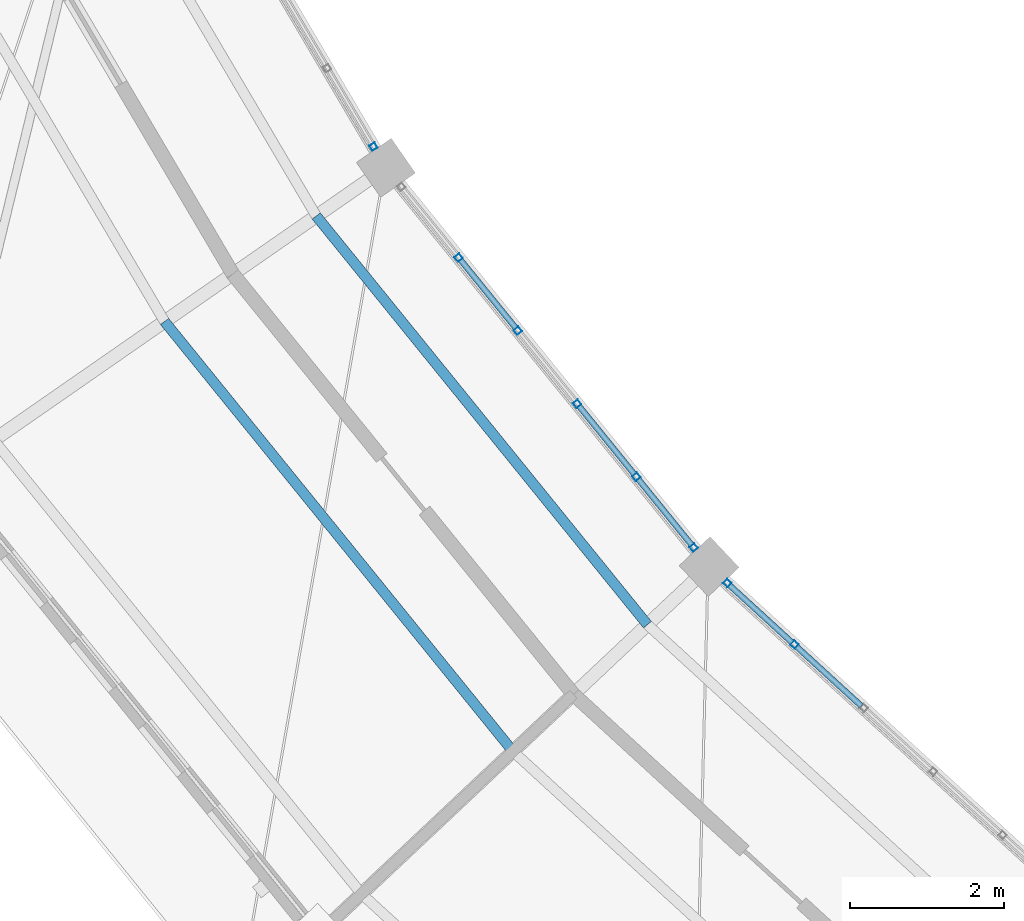
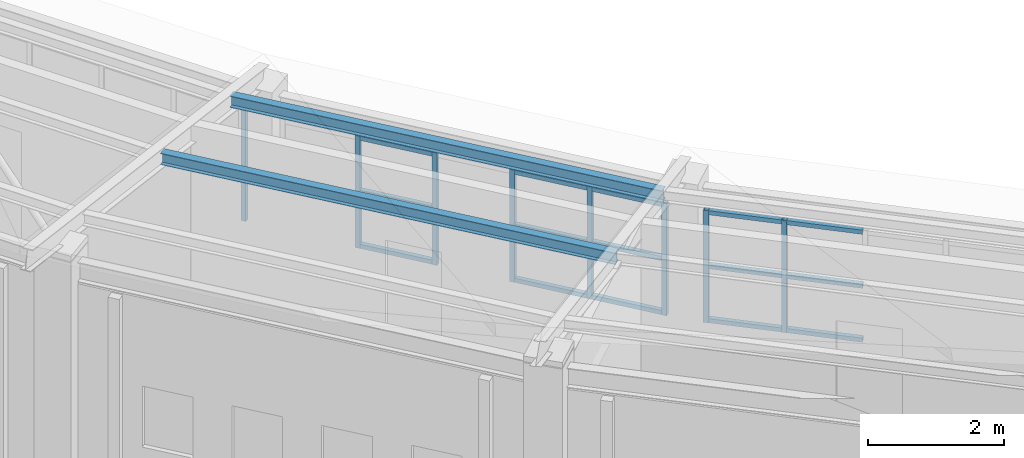
# One storey, part 18 of 149: 25 members, 3 elements without a shape of their own.
"""IFC4 building model written with IfcOpenShell, lengths in metres."""

from ifc_helpers import new_model, si_unit, direction, frame, origin, origin_2d, place, context, subcontext, project, spatial, hollow_rectangle, i_section, extrude, material, material_profile, profile_set, type_object, element, aggregate, save


model = new_model("IFC4")

# Units and contexts
model_context = context("Model", 3, precision=1e-05, world=origin(), true_north=direction((0.0, 1.0)))
body_context = subcontext(model_context, "Body", "Model", "MODEL_VIEW")
ifc_project = project(units=[si_unit("LENGTHUNIT", "METRE"), si_unit("AREAUNIT", "SQUARE_METRE"), si_unit("VOLUMEUNIT", "CUBIC_METRE"), si_unit("PLANEANGLEUNIT", "RADIAN"), si_unit("MASSUNIT", "GRAM", prefix="KILO")], contexts=[model_context])

# Site, building, storey
site_placement = place(None, origin())
site = spatial("IfcSite", under=ifc_project, at=site_placement, CompositionType="ELEMENT")
building_placement = place(site_placement, origin())
building = spatial("IfcBuilding", under=site, at=building_placement, Name="Celadon Cloister-Ring School", CompositionType="ELEMENT")
storey_placement = place(building_placement, frame((0.0, 0.0, 12.5)))
storey = spatial("IfcBuildingStorey", under=building, at=storey_placement, Name="L03", CompositionType="ELEMENT", Elevation=12.5)

# Curtain wall, member
ifc_material_1 = material(Name="Aluminium EN AW-6063 T6", Category="aluminium")
curtain_wall_type = type_object("IfcCurtainWallType", Name="CW-02", PredefinedType="USERDEFINED", material=ifc_material_1)
curtain_wall_1_placement = place(storey_placement, origin())
curtain_wall_1 = element("IfcCurtainWall", 1, at=curtain_wall_1_placement, inside=storey, type_object=curtain_wall_type, Name="Curtain Wall 0054", ObjectType="CURTAIN WALL", PredefinedType="USERDEFINED")
ifc_material_2 = material(Name="Aluminium EN AW-6063 T6", Category="aluminium")
ifc_material_profile_1 = material_profile(ifc_material_2, hollow_rectangle(XDim=0.080078125, YDim=0.080078125, WallThickness=0.00390625, at=origin_2d()), Name="RHS80X80X4")
ifc_profile_set_1 = profile_set([ifc_material_profile_1], Name="Aluminium EN AW-6063 T6")
member_type_1 = type_object("IfcMemberType", Name="CM-03", PredefinedType="MULLION", material=ifc_profile_set_1)
member_1_placement = place(storey_placement, frame((49.875732421875, 33.607421875, 0.0), z_axis=(0.0, 0.0, 1.0), x_axis=(0.861424661152, 0.507885374036, 0.0)))
member_1 = element("IfcMember", 2, at=member_1_placement, type_object=member_type_1, Name="CW-02 mullion 6", PredefinedType="MULLION", context=body_context, shape_type="SweptSolid", body=[
    extrude(hollow_rectangle(XDim=0.080078125, YDim=0.080078125, WallThickness=0.00390625, at=origin_2d()), origin(), (0.0, 0.0, 1.0), 2.02001953125),
])
aggregate(curtain_wall_1, [member_1])

# Curtain wall, members
curtain_wall_2_placement = place(storey_placement, origin())
curtain_wall_2 = element("IfcCurtainWall", 3, at=curtain_wall_2_placement, inside=storey, type_object=curtain_wall_type, Name="Curtain Wall 0055", ObjectType="CURTAIN WALL", PredefinedType="USERDEFINED")
member_2_placement = place(storey_placement, frame((50.982421875, 32.1669921875, 0.0), z_axis=(0.0, 0.0, 1.0), x_axis=(0.776779557155, 0.62977259355, 0.0)))
member_2 = element("IfcMember", 4, at=member_2_placement, type_object=member_type_1, Name="CW-02 mullion 2", PredefinedType="MULLION", context=body_context, shape_type="SweptSolid", body=[
    extrude(hollow_rectangle(XDim=0.080078125, YDim=0.080078125, WallThickness=0.00390625, at=origin_2d()), origin(), (0.0, 0.0, 1.0), 2.02001953125),
])
member_3_placement = place(storey_placement, frame((51.751708984375, 31.218017578125, 0.0), z_axis=(0.0, 0.0, 1.0), x_axis=(0.776779557155, 0.62977259355, 0.0)))
member_3 = element("IfcMember", 5, at=member_3_placement, type_object=member_type_1, Name="CW-02 mullion 3", PredefinedType="MULLION", context=body_context, shape_type="SweptSolid", body=[
    extrude(hollow_rectangle(XDim=0.080078125, YDim=0.080078125, WallThickness=0.00390625, at=origin_2d()), origin(), (0.0, 0.0, 1.0), 2.02001953125),
])
member_4_placement = place(storey_placement, frame((52.521240234375, 30.26904296875, 0.0), z_axis=(0.0, 0.0, 1.0), x_axis=(0.776779557155, 0.62977259355, 0.0)))
member_4 = element("IfcMember", 6, at=member_4_placement, type_object=member_type_1, Name="CW-02 mullion 4", PredefinedType="MULLION", context=body_context, shape_type="SweptSolid", body=[
    extrude(hollow_rectangle(XDim=0.080078125, YDim=0.080078125, WallThickness=0.00390625, at=origin_2d()), origin(), (0.0, 0.0, 1.0), 2.02001953125),
])
member_5_placement = place(storey_placement, frame((53.29052734375, 29.320068359375, 0.0), z_axis=(0.0, 0.0, 1.0), x_axis=(0.776779557155, 0.62977259355, 0.0)))
member_5 = element("IfcMember", 7, at=member_5_placement, type_object=member_type_1, Name="CW-02 mullion 5", PredefinedType="MULLION", context=body_context, shape_type="SweptSolid", body=[
    extrude(hollow_rectangle(XDim=0.080078125, YDim=0.080078125, WallThickness=0.00390625, at=origin_2d()), origin(), (0.0, 0.0, 1.0), 2.02001953125),
])
member_6_placement = place(storey_placement, frame((54.034912109375, 28.402099609375, 0.0), z_axis=(0.0, 0.0, 1.0), x_axis=(0.776779557155, 0.62977259355, 0.0)))
member_6 = element("IfcMember", 8, at=member_6_placement, type_object=member_type_1, Name="CW-02 mullion 6", PredefinedType="MULLION", context=body_context, shape_type="SweptSolid", body=[
    extrude(hollow_rectangle(XDim=0.080078125, YDim=0.080078125, WallThickness=0.00390625, at=origin_2d()), origin(), (0.0, 0.0, 1.0), 2.02001953125),
])

curtain_wall_3_placement = place(storey_placement, origin())
curtain_wall_3 = element("IfcCurtainWall", 9, at=curtain_wall_3_placement, inside=storey, type_object=curtain_wall_type, Name="Curtain Wall 0056", ObjectType="CURTAIN WALL", PredefinedType="USERDEFINED")
member_7_placement = place(storey_placement, frame((54.470458984375, 27.93896484375, 0.0), z_axis=(0.0, 0.0, 1.0), x_axis=(0.675405823267, 0.737446251531, 0.0)))
member_7 = element("IfcMember", 10, at=member_7_placement, type_object=member_type_1, Name="CW-02 mullion 1", PredefinedType="MULLION", context=body_context, shape_type="SweptSolid", body=[
    extrude(hollow_rectangle(XDim=0.080078125, YDim=0.080078125, WallThickness=0.00390625, at=origin_2d()), origin(), (0.0, 0.0, 1.0), 2.02001953125),
])
member_8_placement = place(storey_placement, frame((55.342041015625, 27.140869140625, 0.0), z_axis=(0.0, 0.0, 1.0), x_axis=(0.675405823267, 0.737446251531, 0.0)))
member_8 = element("IfcMember", 11, at=member_8_placement, type_object=member_type_1, Name="CW-02 mullion 2", PredefinedType="MULLION", context=body_context, shape_type="SweptSolid", body=[
    extrude(hollow_rectangle(XDim=0.080078125, YDim=0.080078125, WallThickness=0.00390625, at=origin_2d()), origin(), (0.0, 0.0, 1.0), 2.02001953125),
])

# Member
ifc_material_3 = material(Name="Aluminium EN AW-6063 T6", Category="aluminium")
ifc_material_profile_2 = material_profile(ifc_material_3, hollow_rectangle(XDim=0.074951171875, YDim=0.074951171875, WallThickness=0.00390625, at=origin_2d()), Name="RHS75X75X4")
ifc_profile_set_2 = profile_set([ifc_material_profile_2], Name="Aluminium EN AW-6063 T6")
member_type_2 = type_object("IfcMemberType", Name="CTM-03", PredefinedType="USERDEFINED", material=ifc_profile_set_2)
member_9_placement = place(storey_placement, frame((51.007568359375, 32.135986328125, 0.03759765625), z_axis=(0.6297147847, -0.776826422008, 0.0), x_axis=(0.776826422008, 0.6297147847, 0.0)))
member_9 = element("IfcMember", 12, at=member_9_placement, type_object=member_type_2, Name="CW-02 transom 2.1", ObjectType="TRANSOM", PredefinedType="USERDEFINED", context=body_context, shape_type="SweptSolid", body=[
    extrude(hollow_rectangle(XDim=0.074951171875, YDim=0.074951171875, WallThickness=0.00390625, at=origin_2d()), origin(), (0.0, 0.0, 1.0), 1.141845703125),
])

member_10_placement = place(storey_placement, frame((51.007568359375, 32.135986328125, 1.010009765625), z_axis=(0.6297147847, -0.776826422008, 0.0), x_axis=(0.776826422008, 0.6297147847, 0.0)))
member_10 = element("IfcMember", 13, at=member_10_placement, type_object=member_type_2, Name="CW-02 transom 2.2", ObjectType="TRANSOM", PredefinedType="USERDEFINED", context=body_context, shape_type="SweptSolid", body=[
    extrude(hollow_rectangle(XDim=0.074951171875, YDim=0.074951171875, WallThickness=0.00390625, at=origin_2d()), origin(), (0.0, 0.0, 1.0), 1.141845703125),
])

member_11_placement = place(storey_placement, frame((51.007568359375, 32.135986328125, 1.982421875), z_axis=(0.6297147847, -0.776826422008, 0.0), x_axis=(0.776826422008, 0.6297147847, 0.0)))
member_11 = element("IfcMember", 14, at=member_11_placement, type_object=member_type_2, Name="CW-02 transom 2.3", ObjectType="TRANSOM", PredefinedType="USERDEFINED", context=body_context, shape_type="SweptSolid", body=[
    extrude(hollow_rectangle(XDim=0.074951171875, YDim=0.074951171875, WallThickness=0.00390625, at=origin_2d()), origin(), (0.0, 0.0, 1.0), 1.141845703125),
])

member_12_placement = place(storey_placement, frame((52.54638671875, 30.238037109375, 0.03759765625), z_axis=(0.6297147847, -0.776826422008, 0.0), x_axis=(0.776826422008, 0.6297147847, 0.0)))
member_12 = element("IfcMember", 15, at=member_12_placement, type_object=member_type_2, Name="CW-02 transom 4.1", ObjectType="TRANSOM", PredefinedType="USERDEFINED", context=body_context, shape_type="SweptSolid", body=[
    extrude(hollow_rectangle(XDim=0.074951171875, YDim=0.074951171875, WallThickness=0.00390625, at=origin_2d()), origin(), (0.0, 0.0, 1.0), 1.141845703125),
])

member_13_placement = place(storey_placement, frame((52.54638671875, 30.238037109375, 1.010009765625), z_axis=(0.6297147847, -0.776826422008, 0.0), x_axis=(0.776826422008, 0.6297147847, 0.0)))
member_13 = element("IfcMember", 16, at=member_13_placement, type_object=member_type_2, Name="CW-02 transom 4.2", ObjectType="TRANSOM", PredefinedType="USERDEFINED", context=body_context, shape_type="SweptSolid", body=[
    extrude(hollow_rectangle(XDim=0.074951171875, YDim=0.074951171875, WallThickness=0.00390625, at=origin_2d()), origin(), (0.0, 0.0, 1.0), 1.141845703125),
])

member_14_placement = place(storey_placement, frame((52.54638671875, 30.238037109375, 1.982421875), z_axis=(0.6297147847, -0.776826422008, 0.0), x_axis=(0.776826422008, 0.6297147847, 0.0)))
member_14 = element("IfcMember", 17, at=member_14_placement, type_object=member_type_2, Name="CW-02 transom 4.3", ObjectType="TRANSOM", PredefinedType="USERDEFINED", context=body_context, shape_type="SweptSolid", body=[
    extrude(hollow_rectangle(XDim=0.074951171875, YDim=0.074951171875, WallThickness=0.00390625, at=origin_2d()), origin(), (0.0, 0.0, 1.0), 1.141845703125),
])

member_15_placement = place(storey_placement, frame((53.315673828125, 29.288818359375, 0.03759765625), z_axis=(0.62981641328, -0.776744028341, 0.0), x_axis=(0.776744028341, 0.62981641328, 0.0)))
member_15 = element("IfcMember", 18, at=member_15_placement, type_object=member_type_2, Name="CW-02 transom 5.1", ObjectType="TRANSOM", PredefinedType="USERDEFINED", context=body_context, shape_type="SweptSolid", body=[
    extrude(hollow_rectangle(XDim=0.074951171875, YDim=0.074951171875, WallThickness=0.00390625, at=origin_2d()), origin(), (0.0, 0.0, 1.0), 1.1015625),
])

member_16_placement = place(storey_placement, frame((53.315673828125, 29.288818359375, 1.010009765625), z_axis=(0.62981641328, -0.776744028341, 0.0), x_axis=(0.776744028341, 0.62981641328, 0.0)))
member_16 = element("IfcMember", 19, at=member_16_placement, type_object=member_type_2, Name="CW-02 transom 5.2", ObjectType="TRANSOM", PredefinedType="USERDEFINED", context=body_context, shape_type="SweptSolid", body=[
    extrude(hollow_rectangle(XDim=0.074951171875, YDim=0.074951171875, WallThickness=0.00390625, at=origin_2d()), origin(), (0.0, 0.0, 1.0), 1.1015625),
])

member_17_placement = place(storey_placement, frame((53.315673828125, 29.288818359375, 1.982421875), z_axis=(0.62981641328, -0.776744028341, 0.0), x_axis=(0.776744028341, 0.62981641328, 0.0)))
member_17 = element("IfcMember", 20, at=member_17_placement, type_object=member_type_2, Name="CW-02 transom 5.3", ObjectType="TRANSOM", PredefinedType="USERDEFINED", context=body_context, shape_type="SweptSolid", body=[
    extrude(hollow_rectangle(XDim=0.074951171875, YDim=0.074951171875, WallThickness=0.00390625, at=origin_2d()), origin(), (0.0, 0.0, 1.0), 1.1015625),
])

aggregate(curtain_wall_2, [member_2, member_3, member_4, member_5, member_6, member_9, member_10, member_11, member_12, member_13, member_14, member_15, member_16, member_17])

member_18_placement = place(storey_placement, frame((54.5, 27.911865234375, 0.03759765625), z_axis=(0.737448407441, -0.675403469315, 0.0), x_axis=(0.675403469315, 0.737448407441, 0.0)))
member_18 = element("IfcMember", 21, at=member_18_placement, type_object=member_type_2, Name="CW-02 transom 1.1", ObjectType="TRANSOM", PredefinedType="USERDEFINED", context=body_context, shape_type="SweptSolid", body=[
    extrude(hollow_rectangle(XDim=0.074951171875, YDim=0.074951171875, WallThickness=0.00390625, at=origin_2d()), origin(), (0.0, 0.0, 1.0), 1.101806640625),
])

member_19_placement = place(storey_placement, frame((54.5, 27.911865234375, 1.010009765625), z_axis=(0.737448407441, -0.675403469315, 0.0), x_axis=(0.675403469315, 0.737448407441, 0.0)))
member_19 = element("IfcMember", 22, at=member_19_placement, type_object=member_type_2, Name="CW-02 transom 1.2", ObjectType="TRANSOM", PredefinedType="USERDEFINED", context=body_context, shape_type="SweptSolid", body=[
    extrude(hollow_rectangle(XDim=0.074951171875, YDim=0.074951171875, WallThickness=0.00390625, at=origin_2d()), origin(), (0.0, 0.0, 1.0), 1.101806640625),
])

member_20_placement = place(storey_placement, frame((54.5, 27.911865234375, 1.982421875), z_axis=(0.737448407441, -0.675403469315, 0.0), x_axis=(0.675403469315, 0.737448407441, 0.0)))
member_20 = element("IfcMember", 23, at=member_20_placement, type_object=member_type_2, Name="CW-02 transom 1.3", ObjectType="TRANSOM", PredefinedType="USERDEFINED", context=body_context, shape_type="SweptSolid", body=[
    extrude(hollow_rectangle(XDim=0.074951171875, YDim=0.074951171875, WallThickness=0.00390625, at=origin_2d()), origin(), (0.0, 0.0, 1.0), 1.101806640625),
])

member_21_placement = place(storey_placement, frame((55.37158203125, 27.11376953125, 0.03759765625), z_axis=(0.737429207639, -0.67542443228, 0.0), x_axis=(0.67542443228, 0.737429207639, 0.0)))
member_21 = element("IfcMember", 24, at=member_21_placement, type_object=member_type_2, Name="CW-02 transom 2.1", ObjectType="TRANSOM", PredefinedType="USERDEFINED", context=body_context, shape_type="SweptSolid", body=[
    extrude(hollow_rectangle(XDim=0.074951171875, YDim=0.074951171875, WallThickness=0.00390625, at=origin_2d()), origin(), (0.0, 0.0, 1.0), 1.141845703125),
])

member_22_placement = place(storey_placement, frame((55.37158203125, 27.11376953125, 1.010009765625), z_axis=(0.737429207639, -0.67542443228, 0.0), x_axis=(0.67542443228, 0.737429207639, 0.0)))
member_22 = element("IfcMember", 25, at=member_22_placement, type_object=member_type_2, Name="CW-02 transom 2.2", ObjectType="TRANSOM", PredefinedType="USERDEFINED", context=body_context, shape_type="SweptSolid", body=[
    extrude(hollow_rectangle(XDim=0.074951171875, YDim=0.074951171875, WallThickness=0.00390625, at=origin_2d()), origin(), (0.0, 0.0, 1.0), 1.141845703125),
])

member_23_placement = place(storey_placement, frame((55.37158203125, 27.11376953125, 1.982421875), z_axis=(0.737429207639, -0.67542443228, 0.0), x_axis=(0.67542443228, 0.737429207639, 0.0)))
member_23 = element("IfcMember", 26, at=member_23_placement, type_object=member_type_2, Name="CW-02 transom 2.3", ObjectType="TRANSOM", PredefinedType="USERDEFINED", context=body_context, shape_type="SweptSolid", body=[
    extrude(hollow_rectangle(XDim=0.074951171875, YDim=0.074951171875, WallThickness=0.00390625, at=origin_2d()), origin(), (0.0, 0.0, 1.0), 1.141845703125),
])

aggregate(curtain_wall_3, [member_7, member_8, member_18, member_19, member_20, member_21, member_22, member_23])

# Members
ifc_material_4 = material(Name="Structural steel S355JR", Category="steel")
ifc_material_profile_3 = material_profile(ifc_material_4, i_section(OverallWidth=0.133056640625, OverallDepth=0.20703125, WebThickness=0.005859375, FlangeThickness=0.00830078125, at=origin_2d()), Name="W200X27")
ifc_profile_set_3 = profile_set([ifc_material_profile_3], Name="Structural steel S355JR")
member_type_3 = type_object("IfcMemberType", Name="MP-04", PredefinedType="PURLIN", material=ifc_profile_set_3)
member_24_placement = place(storey_placement, frame((49.134033203125, 32.7060546875, 2.970947265625), z_axis=(0.629604331508, -0.776915945097, 0.0), x_axis=(0.776915945097, 0.629604331508, 0.0)))
element("IfcMember", 27, at=member_24_placement, inside=storey, type_object=member_type_3, Name="Structural Member 0133", PredefinedType="PURLIN", context=body_context, shape_type="SweptSolid", body=[
    extrude(i_section(OverallWidth=0.133056640625, OverallDepth=0.20703125, WebThickness=0.005859375, FlangeThickness=0.00830078125, at=origin_2d()), origin(), (0.0, 0.0, 1.0), 6.829833984375),
])
member_25_placement = place(storey_placement, frame((47.1630859375, 31.3369140625, 3.4599609375), z_axis=(0.629630176297, -0.776895000046, 0.0), x_axis=(0.776895000046, 0.629630176297, 0.0)))
element("IfcMember", 28, at=member_25_placement, inside=storey, type_object=member_type_3, Name="Structural Member 0134", PredefinedType="PURLIN", context=body_context, shape_type="SweptSolid", body=[
    extrude(i_section(OverallWidth=0.133056640625, OverallDepth=0.20703125, WebThickness=0.005859375, FlangeThickness=0.00830078125, at=origin_2d()), origin(), (0.0, 0.0, 1.0), 7.18505859375),
])

save(model, "model.ifc")
